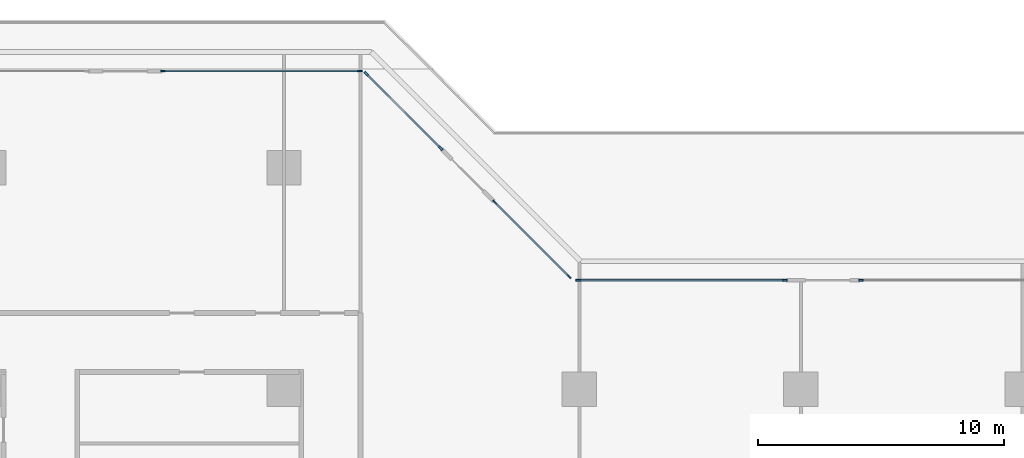
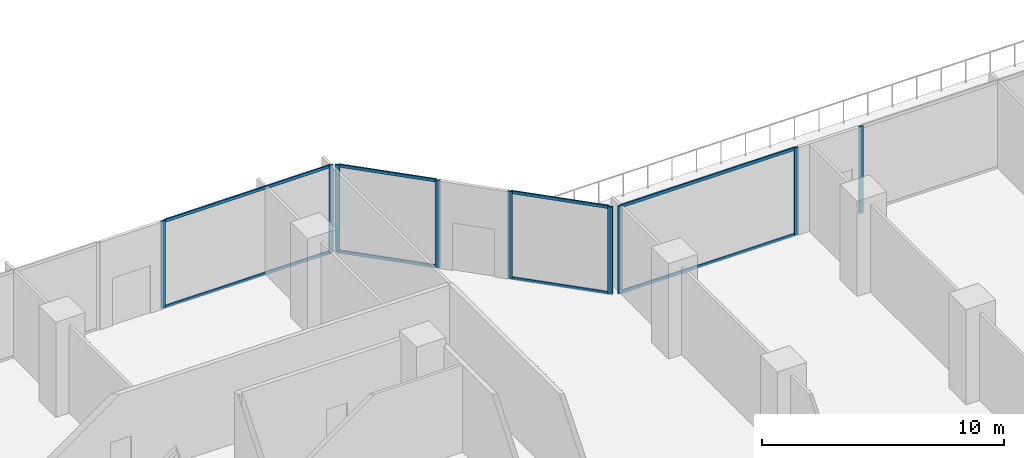
# One storey, part 10 of 31: 17 members, 5 elements without a shape of their own.
"""IFC4 building model written with IfcOpenShell, lengths in metres."""

from ifc_helpers import new_model, si_unit, direction, frame, origin, origin_2d, place, context, subcontext, project, spatial, rectangle, extrude, material, layer, layer_set, material_profile, profile_set, type_object, element, aggregate, save


model = new_model("IFC4")

# Units and contexts
model_context = context("Model", 3, precision=1e-05, world=origin(), true_north=direction((0.0, 1.0)))
body_context = subcontext(model_context, "Body", "Model", "MODEL_VIEW")
ifc_project = project(units=[si_unit("LENGTHUNIT", "METRE"), si_unit("AREAUNIT", "SQUARE_METRE"), si_unit("VOLUMEUNIT", "CUBIC_METRE"), si_unit("PLANEANGLEUNIT", "RADIAN"), si_unit("MASSUNIT", "GRAM", prefix="KILO")], contexts=[model_context])

# Site, building, storey
site_placement = place(None, origin())
site = spatial("IfcSite", under=ifc_project, at=site_placement, CompositionType="ELEMENT")
building_placement = place(site_placement, origin())
building = spatial("IfcBuilding", under=site, at=building_placement, Name="Chenar Terraces", CompositionType="ELEMENT")
storey_placement = place(building_placement, frame((0.0, 0.0, 7.199951171875)))
storey = spatial("IfcBuildingStorey", under=building, at=storey_placement, Name="L01", CompositionType="ELEMENT", Elevation=7.199951171875)

# Curtain wall, members
ifc_material_1 = material(Name="Aluminium framed glazing", Category="aluminium")
ifc_layer = layer(ifc_material_1, 0.14990234375)
ifc_layer_set = layer_set([ifc_layer], Name="Aluminium framed glazing")
curtain_wall_type = type_object("IfcCurtainWallType", Name="School curtain wall", PredefinedType="NOTDEFINED", material=ifc_layer_set)
placement = place(storey_placement, origin())
curtain_wall_1 = element("IfcCurtainWall", 1, at=placement, inside=storey, type_object=curtain_wall_type, Name="School curtain wall", PredefinedType="NOTDEFINED")
ifc_material_2 = material(Name="Aluminium", Category="aluminium")
ifc_material_profile_1 = material_profile(ifc_material_2, rectangle(XDim=0.070068359375, YDim=0.199951171875, at=origin_2d()), Name="School glazing mullion 70 x 200")
ifc_profile_set_1 = profile_set([ifc_material_profile_1], Name="Aluminium")
member_type_1 = type_object("IfcMemberType", Name="School glazing mullion 70 x 200", PredefinedType="MULLION", material=ifc_profile_set_1)
member_1_placement = place(storey_placement, frame((35.57958984375, 67.577880859375, 0.0), z_axis=(0.0, 0.0, 1.0), x_axis=(-0.707106781187, -0.707106781187, 0.0)))
member_1 = element("IfcMember", 2, at=member_1_placement, type_object=member_type_1, Name="CW2-01c0 mullion 1", PredefinedType="MULLION", context=body_context, shape_type="SweptSolid", body=[
    extrude(rectangle(XDim=0.070068359375, YDim=0.199951171875, at=origin_2d()), origin(), (0.0, 0.0, 1.0), 4.400146484375),
])
member_2_placement = place(storey_placement, frame((32.5546875, 70.602783203125, 0.0), z_axis=(0.0, 0.0, 1.0), x_axis=(-0.707106781187, -0.707106781187, 0.0)))
member_2 = element("IfcMember", 3, at=member_2_placement, type_object=member_type_1, Name="CW2-01c0 mullion 2", PredefinedType="MULLION", context=body_context, shape_type="SweptSolid", body=[
    extrude(rectangle(XDim=0.070068359375, YDim=0.199951171875, at=origin_2d()), origin(), (0.0, 0.0, 1.0), 4.400146484375),
])

curtain_wall_2 = element("IfcCurtainWall", 4, at=placement, inside=storey, type_object=curtain_wall_type, Name="School curtain wall", PredefinedType="NOTDEFINED")
member_3_placement = place(storey_placement, frame((30.3662109375, 72.791259765625, 0.0), z_axis=(0.0, 0.0, 1.0), x_axis=(-0.707106781187, -0.707106781187, 0.0)))
member_3 = element("IfcMember", 5, at=member_3_placement, type_object=member_type_1, Name="CW2-01c1 mullion 1", PredefinedType="MULLION", context=body_context, shape_type="SweptSolid", body=[
    extrude(rectangle(XDim=0.070068359375, YDim=0.199951171875, at=origin_2d()), origin(), (0.0, 0.0, 1.0), 4.400146484375),
])
member_4_placement = place(storey_placement, frame((27.34130859375, 75.816162109375, 0.0), z_axis=(0.0, 0.0, 1.0), x_axis=(-0.707106781187, -0.707106781187, 0.0)))
member_4 = element("IfcMember", 6, at=member_4_placement, type_object=member_type_1, Name="CW2-01c1 mullion 2", PredefinedType="MULLION", context=body_context, shape_type="SweptSolid", body=[
    extrude(rectangle(XDim=0.070068359375, YDim=0.199951171875, at=origin_2d()), origin(), (0.0, 0.0, 1.0), 4.400146484375),
])

curtain_wall_3 = element("IfcCurtainWall", 7, at=placement, inside=storey, type_object=curtain_wall_type, Name="School curtain wall", PredefinedType="NOTDEFINED")
member_5_placement = place(storey_placement, frame((27.07861328125, 75.925048828125, 0.0), z_axis=(0.0, 0.0, 1.0), x_axis=(0.0, -1.0, 0.0)))
member_5 = element("IfcMember", 8, at=member_5_placement, type_object=member_type_1, Name="CW2-02c0 mullion 1", PredefinedType="MULLION", context=body_context, shape_type="SweptSolid", body=[
    extrude(rectangle(XDim=0.070068359375, YDim=0.199951171875, at=origin_2d()), origin(), (0.0, 0.0, 1.0), 4.400146484375),
])
member_6_placement = place(storey_placement, frame((19.08544921875, 75.925048828125, 0.0), z_axis=(0.0, 0.0, 1.0), x_axis=(0.0, -1.0, 0.0)))
member_6 = element("IfcMember", 9, at=member_6_placement, type_object=member_type_1, Name="CW2-02c0 mullion 2", PredefinedType="MULLION", context=body_context, shape_type="SweptSolid", body=[
    extrude(rectangle(XDim=0.070068359375, YDim=0.199951171875, at=origin_2d()), origin(), (0.0, 0.0, 1.0), 4.400146484375),
])

# Curtain wall, member
curtain_wall_4 = element("IfcCurtainWall", 10, at=placement, inside=storey, type_object=curtain_wall_type, Name="School curtain wall", PredefinedType="NOTDEFINED")
member_7_placement = place(storey_placement, frame((47.43994140625, 67.425048828125, 0.0), z_axis=(0.0, 0.0, 1.0), x_axis=(0.0, -1.0, 0.0)))
member_7 = element("IfcMember", 11, at=member_7_placement, type_object=member_type_1, Name="CW2-12c1 mullion 2", PredefinedType="MULLION", context=body_context, shape_type="SweptSolid", body=[
    extrude(rectangle(XDim=0.070068359375, YDim=0.199951171875, at=origin_2d()), origin(), (0.0, 0.0, 1.0), 4.400146484375),
])
aggregate(curtain_wall_4, [member_7])

# Curtain wall, members
curtain_wall_5 = element("IfcCurtainWall", 12, at=placement, inside=storey, type_object=curtain_wall_type, Name="School curtain wall", PredefinedType="NOTDEFINED")
member_8_placement = place(storey_placement, frame((44.3447265625, 67.425048828125, 0.0), z_axis=(0.0, 0.0, 1.0), x_axis=(0.0, -1.0, 0.0)))
member_8 = element("IfcMember", 13, at=member_8_placement, type_object=member_type_1, Name="CW2-12c2 mullion 1", PredefinedType="MULLION", context=body_context, shape_type="SweptSolid", body=[
    extrude(rectangle(XDim=0.070068359375, YDim=0.199951171875, at=origin_2d()), origin(), (0.0, 0.0, 1.0), 4.400146484375),
])
member_9_placement = place(storey_placement, frame((35.948486328125, 67.425048828125, 0.0), z_axis=(0.0, 0.0, 1.0), x_axis=(0.0, -1.0, 0.0)))
member_9 = element("IfcMember", 14, at=member_9_placement, type_object=member_type_1, Name="CW2-12c2 mullion 2", PredefinedType="MULLION", context=body_context, shape_type="SweptSolid", body=[
    extrude(rectangle(XDim=0.070068359375, YDim=0.199951171875, at=origin_2d()), origin(), (0.0, 0.0, 1.0), 4.400146484375),
])

# Member
ifc_material_3 = material(Name="Aluminium", Category="aluminium")
ifc_material_profile_2 = material_profile(ifc_material_3, rectangle(XDim=0.070068359375, YDim=0.14990234375, at=origin_2d()), Name="School glazing transom 70 x 150")
ifc_profile_set_2 = profile_set([ifc_material_profile_2], Name="Aluminium")
member_type_2 = type_object("IfcMemberType", Name="School glazing transom 70 x 150", PredefinedType="USERDEFINED", material=ifc_profile_set_2)
member_10_placement = place(storey_placement, frame((35.554931640625, 67.6025390625, 0.03515625), z_axis=(-0.7071357901, 0.707077771083, 0.0), x_axis=(-0.707077771083, -0.7071357901, 0.0)))
member_10 = element("IfcMember", 15, at=member_10_placement, type_object=member_type_2, Name="CW2-01c0 transom 1.1", ObjectType="TRANSOM", PredefinedType="USERDEFINED", context=body_context, shape_type="SweptSolid", body=[
    extrude(rectangle(XDim=0.070068359375, YDim=0.14990234375, at=origin_2d()), origin(), (0.0, 0.0, 1.0), 4.2080078125),
])

member_11_placement = place(storey_placement, frame((35.554931640625, 67.6025390625, 4.364990234375), z_axis=(-0.7071357901, 0.707077771083, 0.0), x_axis=(-0.707077771083, -0.7071357901, 0.0)))
member_11 = element("IfcMember", 16, at=member_11_placement, type_object=member_type_2, Name="CW2-01c0 transom 1.2", ObjectType="TRANSOM", PredefinedType="USERDEFINED", context=body_context, shape_type="SweptSolid", body=[
    extrude(rectangle(XDim=0.070068359375, YDim=0.14990234375, at=origin_2d()), origin(), (0.0, 0.0, 1.0), 4.2080078125),
])

aggregate(curtain_wall_1, [member_1, member_2, member_10, member_11])

member_12_placement = place(storey_placement, frame((30.341552734375, 72.81591796875, 0.03515625), z_axis=(-0.707106781187, 0.707106781187, 0.0), x_axis=(-0.707106781187, -0.707106781187, 0.0)))
member_12 = element("IfcMember", 17, at=member_12_placement, type_object=member_type_2, Name="CW2-01c1 transom 1.1", ObjectType="TRANSOM", PredefinedType="USERDEFINED", context=body_context, shape_type="SweptSolid", body=[
    extrude(rectangle(XDim=0.070068359375, YDim=0.14990234375, at=origin_2d()), origin(), (0.0, 0.0, 1.0), 4.2080078125),
])

member_13_placement = place(storey_placement, frame((30.341552734375, 72.81591796875, 4.364990234375), z_axis=(-0.707106781187, 0.707106781187, 0.0), x_axis=(-0.707106781187, -0.707106781187, 0.0)))
member_13 = element("IfcMember", 18, at=member_13_placement, type_object=member_type_2, Name="CW2-01c1 transom 1.2", ObjectType="TRANSOM", PredefinedType="USERDEFINED", context=body_context, shape_type="SweptSolid", body=[
    extrude(rectangle(XDim=0.070068359375, YDim=0.14990234375, at=origin_2d()), origin(), (0.0, 0.0, 1.0), 4.2080078125),
])

aggregate(curtain_wall_2, [member_3, member_4, member_12, member_13])

member_14_placement = place(storey_placement, frame((27.04345703125, 75.925048828125, 0.03515625), z_axis=(-1.0, 0.0, 0.0), x_axis=(0.0, -1.0, 0.0)))
member_14 = element("IfcMember", 19, at=member_14_placement, type_object=member_type_2, Name="CW2-02c0 transom 1.1", ObjectType="TRANSOM", PredefinedType="USERDEFINED", context=body_context, shape_type="SweptSolid", body=[
    extrude(rectangle(XDim=0.070068359375, YDim=0.14990234375, at=origin_2d()), origin(), (0.0, 0.0, 1.0), 7.923095703125),
])

member_15_placement = place(storey_placement, frame((27.04345703125, 75.925048828125, 4.364990234375), z_axis=(-1.0, 0.0, 0.0), x_axis=(0.0, -1.0, 0.0)))
member_15 = element("IfcMember", 20, at=member_15_placement, type_object=member_type_2, Name="CW2-02c0 transom 1.2", ObjectType="TRANSOM", PredefinedType="USERDEFINED", context=body_context, shape_type="SweptSolid", body=[
    extrude(rectangle(XDim=0.070068359375, YDim=0.14990234375, at=origin_2d()), origin(), (0.0, 0.0, 1.0), 7.923095703125),
])

aggregate(curtain_wall_3, [member_5, member_6, member_14, member_15])

member_16_placement = place(storey_placement, frame((44.309814453125, 67.425048828125, 0.03515625), z_axis=(-1.0, 0.0, 0.0), x_axis=(0.0, -1.0, 0.0)))
member_16 = element("IfcMember", 21, at=member_16_placement, type_object=member_type_2, Name="CW2-12c2 transom 1.1", ObjectType="TRANSOM", PredefinedType="USERDEFINED", context=body_context, shape_type="SweptSolid", body=[
    extrude(rectangle(XDim=0.070068359375, YDim=0.14990234375, at=origin_2d()), origin(), (0.0, 0.0, 1.0), 8.326416015625),
])

member_17_placement = place(storey_placement, frame((44.309814453125, 67.425048828125, 4.364990234375), z_axis=(-1.0, 0.0, 0.0), x_axis=(0.0, -1.0, 0.0)))
member_17 = element("IfcMember", 22, at=member_17_placement, type_object=member_type_2, Name="CW2-12c2 transom 1.2", ObjectType="TRANSOM", PredefinedType="USERDEFINED", context=body_context, shape_type="SweptSolid", body=[
    extrude(rectangle(XDim=0.070068359375, YDim=0.14990234375, at=origin_2d()), origin(), (0.0, 0.0, 1.0), 8.326416015625),
])

aggregate(curtain_wall_5, [member_8, member_9, member_16, member_17])

save(model, "model.ifc")
